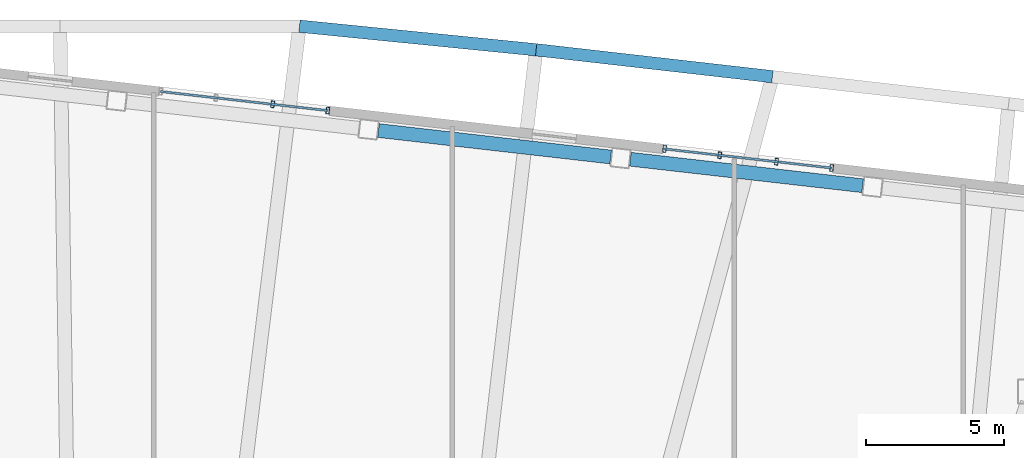
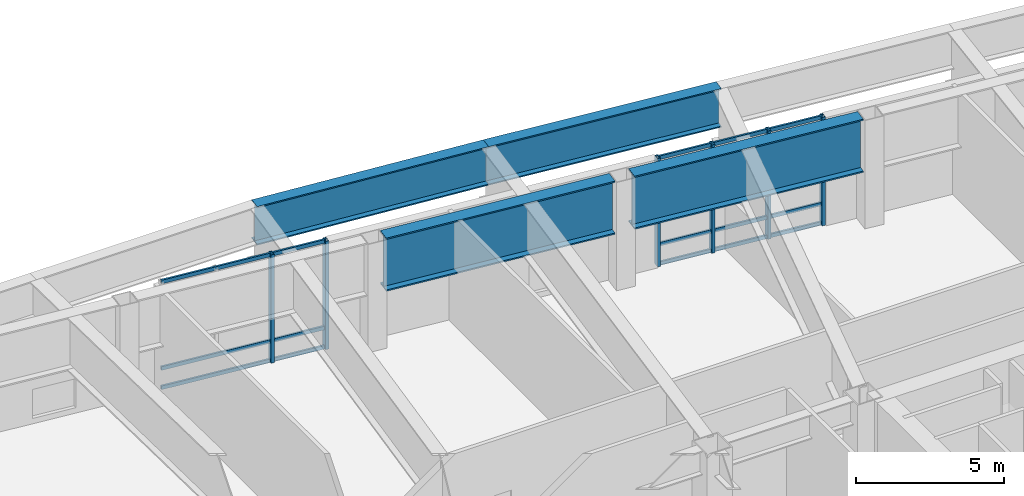
# One storey, part 8 of 19: 12 members, 4 beams, 2 elements without a shape of their own.
"""IFC4 building model written with IfcOpenShell, lengths in metres."""

from ifc_helpers import new_model, si_unit, direction, frame, origin, origin_2d, place, context, subcontext, project, spatial, hollow_rectangle, i_section, extrude, material, layer, layer_set, material_profile, profile_set, type_object, element, aggregate, save


model = new_model("IFC4")

# Units and contexts
model_context = context("Model", 3, precision=1e-05, world=origin(), true_north=direction((0.0, 1.0)))
body_context = subcontext(model_context, "Body", "Model", "MODEL_VIEW")
ifc_project = project(units=[si_unit("LENGTHUNIT", "METRE"), si_unit("AREAUNIT", "SQUARE_METRE"), si_unit("VOLUMEUNIT", "CUBIC_METRE"), si_unit("PLANEANGLEUNIT", "RADIAN"), si_unit("MASSUNIT", "GRAM", prefix="KILO")], contexts=[model_context])

# Site, building, storey
site_placement = place(None, origin())
site = spatial("IfcSite", under=ifc_project, at=site_placement, CompositionType="ELEMENT")
building_placement = place(site_placement, origin())
building = spatial("IfcBuilding", under=site, at=building_placement, Name="Tavrogorsk Clinical Tower", CompositionType="ELEMENT")
storey_placement = place(building_placement, frame((0.0, 0.0, 141.39990234375)))
storey = spatial("IfcBuildingStorey", under=building, at=storey_placement, Name="L32", CompositionType="ELEMENT", Elevation=141.39990234375)

# Curtain wall, members
ifc_material_1 = material(Name="Anodised aluminium and triple IGU glazing", Category="aluminium")
ifc_layer = layer(ifc_material_1, 0.179931640625)
ifc_layer_set = layer_set([ifc_layer], Name="Anodised aluminium and triple IGU glazing")
curtain_wall_type = type_object("IfcCurtainWallType", Name="CW5_SkyLobby", PredefinedType="NOTDEFINED", material=ifc_layer_set)
curtain_wall_1_placement = place(storey_placement, origin())
curtain_wall_1 = element("IfcCurtainWall", 1, at=curtain_wall_1_placement, inside=storey, type_object=curtain_wall_type, Name="L32 Curtain Wall CW-L32-N-CW5-1", PredefinedType="NOTDEFINED")
ifc_material_2 = material(Name="Anodised aluminium alloy AW-6060", Category="aluminium")
ifc_material_profile_1 = material_profile(ifc_material_2, hollow_rectangle(XDim=0.1201171875, YDim=0.239990234375, WallThickness=0.008056640625, at=origin_2d()), Name="RHS-240x120x8")
ifc_profile_set_1 = profile_set([ifc_material_profile_1], Name="Anodised aluminium alloy AW-6060")
member_type_1 = type_object("IfcMemberType", Name="CwMullion_240x120", PredefinedType="MULLION", material=ifc_profile_set_1)
member_1_placement = place(storey_placement, frame((-0.905517578125, 23.365966796875, 0.0), z_axis=(0.0, 0.0, 1.0), x_axis=(-0.993571847378, 0.113203286601, 0.0)))
member_1 = element("IfcMember", 2, at=member_1_placement, type_object=member_type_1, Name="CW-L32-N-CW5-1 Mullion 1", PredefinedType="MULLION", context=body_context, shape_type="SweptSolid", body=[
    extrude(hollow_rectangle(XDim=0.1201171875, YDim=0.239990234375, WallThickness=0.008056640625, at=origin_2d()), origin(), (0.0, 0.0, 1.0), 4.47998046875),
])
member_2_placement = place(storey_placement, frame((-2.90185546875, 23.593505859375, 0.0), z_axis=(0.0, 0.0, 1.0), x_axis=(-0.993571847378, 0.113203286601, 0.0)))
member_2 = element("IfcMember", 3, at=member_2_placement, type_object=member_type_1, Name="CW-L32-N-CW5-1 Mullion 2", PredefinedType="MULLION", context=body_context, shape_type="SweptSolid", body=[
    extrude(hollow_rectangle(XDim=0.1201171875, YDim=0.239990234375, WallThickness=0.008056640625, at=origin_2d()), origin(), (0.0, 0.0, 1.0), 4.47998046875),
])

curtain_wall_2_placement = place(storey_placement, origin())
curtain_wall_2 = element("IfcCurtainWall", 4, at=curtain_wall_2_placement, inside=storey, type_object=curtain_wall_type, Name="L32 Curtain Wall CW-L32-N-CW5-2", PredefinedType="NOTDEFINED")
member_3_placement = place(storey_placement, frame((17.330810546875, 21.2880859375, 0.0), z_axis=(0.0, 0.0, 1.0), x_axis=(-0.993571847378, 0.113203286601, 0.0)))
member_3 = element("IfcMember", 5, at=member_3_placement, type_object=member_type_1, Name="CW-L32-N-CW5-2 Mullion 1", PredefinedType="MULLION", context=body_context, shape_type="SweptSolid", body=[
    extrude(hollow_rectangle(XDim=0.1201171875, YDim=0.239990234375, WallThickness=0.008056640625, at=origin_2d()), origin(), (0.0, 0.0, 1.0), 4.47998046875),
])
member_4_placement = place(storey_placement, frame((15.33447265625, 21.515625, 0.0), z_axis=(0.0, 0.0, 1.0), x_axis=(-0.993571847378, 0.113203286601, 0.0)))
member_4 = element("IfcMember", 6, at=member_4_placement, type_object=member_type_1, Name="CW-L32-N-CW5-2 Mullion 2", PredefinedType="MULLION", context=body_context, shape_type="SweptSolid", body=[
    extrude(hollow_rectangle(XDim=0.1201171875, YDim=0.239990234375, WallThickness=0.008056640625, at=origin_2d()), origin(), (0.0, 0.0, 1.0), 4.47998046875),
])
member_5_placement = place(storey_placement, frame((13.2783203125, 21.75, 0.0), z_axis=(0.0, 0.0, 1.0), x_axis=(-0.993571847378, 0.113203286601, 0.0)))
member_5 = element("IfcMember", 7, at=member_5_placement, type_object=member_type_1, Name="CW-L32-N-CW5-2 Mullion 3", PredefinedType="MULLION", context=body_context, shape_type="SweptSolid", body=[
    extrude(hollow_rectangle(XDim=0.1201171875, YDim=0.239990234375, WallThickness=0.008056640625, at=origin_2d()), origin(), (0.0, 0.0, 1.0), 4.47998046875),
])
member_6_placement = place(storey_placement, frame((11.281982421875, 21.977294921875, 0.0), z_axis=(0.0, 0.0, 1.0), x_axis=(-0.993571847378, 0.113203286601, 0.0)))
member_6 = element("IfcMember", 8, at=member_6_placement, type_object=member_type_1, Name="CW-L32-N-CW5-2 Mullion 4", PredefinedType="MULLION", context=body_context, shape_type="SweptSolid", body=[
    extrude(hollow_rectangle(XDim=0.1201171875, YDim=0.239990234375, WallThickness=0.008056640625, at=origin_2d()), origin(), (0.0, 0.0, 1.0), 4.47998046875),
])

# Member
ifc_material_3 = material(Name="Anodised aluminium alloy AW-6060", Category="aluminium")
ifc_material_profile_2 = material_profile(ifc_material_3, hollow_rectangle(XDim=0.074951171875, YDim=0.14990234375, WallThickness=0.0048828125, at=origin_2d()), Name="RHS-150x75x5")
ifc_profile_set_2 = profile_set([ifc_material_profile_2], Name="Anodised aluminium alloy AW-6060")
member_type_2 = type_object("IfcMemberType", Name="CwTransom_150x75", PredefinedType="USERDEFINED", material=ifc_profile_set_2)
member_7_placement = place(storey_placement, frame((-0.905517578125, 23.365966796875, 0.050048828125), z_axis=(-0.993571263123, 0.113208414425, 0.0), x_axis=(-0.113208414425, -0.993571263123, 0.0)))
member_7 = element("IfcMember", 9, at=member_7_placement, type_object=member_type_2, Name="CW-L32-N-CW5-1 Transom 1", ObjectType="TRANSOM", PredefinedType="USERDEFINED", context=body_context, shape_type="SweptSolid", body=[
    extrude(hollow_rectangle(XDim=0.074951171875, YDim=0.14990234375, WallThickness=0.0048828125, at=origin_2d()), origin(), (0.0, 0.0, 1.0), 6.087890625),
])

member_8_placement = place(storey_placement, frame((-0.905517578125, 23.365966796875, 0.85009765625), z_axis=(-0.993571263123, 0.113208414425, 0.0), x_axis=(-0.113208414425, -0.993571263123, 0.0)))
member_8 = element("IfcMember", 10, at=member_8_placement, type_object=member_type_2, Name="CW-L32-N-CW5-1 Transom 2", ObjectType="TRANSOM", PredefinedType="USERDEFINED", context=body_context, shape_type="SweptSolid", body=[
    extrude(hollow_rectangle(XDim=0.074951171875, YDim=0.14990234375, WallThickness=0.0048828125, at=origin_2d()), origin(), (0.0, 0.0, 1.0), 6.087890625),
])

member_9_placement = place(storey_placement, frame((-0.905517578125, 23.365966796875, 4.43017578125), z_axis=(-0.993571263123, 0.113208414425, 0.0), x_axis=(-0.113208414425, -0.993571263123, 0.0)))
member_9 = element("IfcMember", 11, at=member_9_placement, type_object=member_type_2, Name="CW-L32-N-CW5-1 Transom 3", ObjectType="TRANSOM", PredefinedType="USERDEFINED", context=body_context, shape_type="SweptSolid", body=[
    extrude(hollow_rectangle(XDim=0.074951171875, YDim=0.14990234375, WallThickness=0.0048828125, at=origin_2d()), origin(), (0.0, 0.0, 1.0), 6.087890625),
])

aggregate(curtain_wall_1, [member_1, member_2, member_7, member_8, member_9])

member_10_placement = place(storey_placement, frame((17.330810546875, 21.2880859375, 0.050048828125), z_axis=(-0.993571263123, 0.113208414425, 0.0), x_axis=(-0.113208414425, -0.993571263123, 0.0)))
member_10 = element("IfcMember", 12, at=member_10_placement, type_object=member_type_2, Name="CW-L32-N-CW5-2 Transom 1", ObjectType="TRANSOM", PredefinedType="USERDEFINED", context=body_context, shape_type="SweptSolid", body=[
    extrude(hollow_rectangle(XDim=0.074951171875, YDim=0.14990234375, WallThickness=0.0048828125, at=origin_2d()), origin(), (0.0, 0.0, 1.0), 6.087890625),
])

member_11_placement = place(storey_placement, frame((17.330810546875, 21.2880859375, 0.85009765625), z_axis=(-0.993571263123, 0.113208414425, 0.0), x_axis=(-0.113208414425, -0.993571263123, 0.0)))
member_11 = element("IfcMember", 13, at=member_11_placement, type_object=member_type_2, Name="CW-L32-N-CW5-2 Transom 2", ObjectType="TRANSOM", PredefinedType="USERDEFINED", context=body_context, shape_type="SweptSolid", body=[
    extrude(hollow_rectangle(XDim=0.074951171875, YDim=0.14990234375, WallThickness=0.0048828125, at=origin_2d()), origin(), (0.0, 0.0, 1.0), 6.087890625),
])

member_12_placement = place(storey_placement, frame((17.330810546875, 21.2880859375, 4.43017578125), z_axis=(-0.993571263123, 0.113208414425, 0.0), x_axis=(-0.113208414425, -0.993571263123, 0.0)))
member_12 = element("IfcMember", 14, at=member_12_placement, type_object=member_type_2, Name="CW-L32-N-CW5-2 Transom 3", ObjectType="TRANSOM", PredefinedType="USERDEFINED", context=body_context, shape_type="SweptSolid", body=[
    extrude(hollow_rectangle(XDim=0.074951171875, YDim=0.14990234375, WallThickness=0.0048828125, at=origin_2d()), origin(), (0.0, 0.0, 1.0), 6.087890625),
])

aggregate(curtain_wall_2, [member_3, member_4, member_5, member_6, member_10, member_11, member_12])

# Beams
ifc_material_4 = material(Name="Structural steel S440", Category="steel")
ifc_material_profile_3 = material_profile(ifc_material_4, i_section(OverallWidth=0.449951171875, OverallDepth=1.60009765625, WebThickness=0.031982421875, FlangeThickness=0.050048828125, at=origin_2d()), Name="DK-1600x450x32x50")
ifc_profile_set_3 = profile_set([ifc_material_profile_3], Name="Structural steel S440")
beam_type_1 = type_object("IfcBeamType", Name="TransferGirder_DK1600", PredefinedType="USERDEFINED", material=ifc_profile_set_3)
beam_1_placement = place(storey_placement, frame((15.18603515625, 24.59228515625, 3.68017578125), z_axis=(-0.993571653047, 0.113204992215, 0.0), x_axis=(-0.113204992215, -0.993571653047, 0.0)))
element("IfcBeam", 15, at=beam_1_placement, inside=storey, type_object=beam_type_1, Name="L33 Transfer Edge Girder N3-N4", ObjectType="GIRDER", PredefinedType="USERDEFINED", context=body_context, shape_type="SweptSolid", body=[
    extrude(i_section(OverallWidth=0.449951171875, OverallDepth=1.60009765625, WebThickness=0.031982421875, FlangeThickness=0.050048828125, at=origin_2d()), origin(), (0.0, 0.0, 1.0), 8.607177734375),
])
beam_2_placement = place(storey_placement, frame((6.63427734375, 25.566650390625, 3.68017578125), z_axis=(-0.995075027381, 0.099124617948, 0.0), x_axis=(-0.099124617948, -0.995075027381, 0.0)))
element("IfcBeam", 16, at=beam_2_placement, inside=storey, type_object=beam_type_1, Name="L33 Transfer Edge Girder N4-N5", ObjectType="GIRDER", PredefinedType="USERDEFINED", context=body_context, shape_type="SweptSolid", body=[
    extrude(i_section(OverallWidth=0.449951171875, OverallDepth=1.60009765625, WebThickness=0.031982421875, FlangeThickness=0.050048828125, at=origin_2d()), origin(), (0.0, 0.0, 1.0), 8.608154296875),
])
ifc_material_5 = material(Name="Structural steel S440", Category="steel")
ifc_material_profile_4 = material_profile(ifc_material_5, i_section(OverallWidth=0.5, OverallDepth=2.199951171875, WebThickness=0.035888671875, FlangeThickness=0.054931640625, at=origin_2d()), Name="DK-2200x500x36x55")
ifc_profile_set_4 = profile_set([ifc_material_profile_4], Name="Structural steel S440")
beam_type_2 = type_object("IfcBeamType", Name="TransferGirder_DK2200", PredefinedType="USERDEFINED", material=ifc_profile_set_4)
beam_3_placement = place(storey_placement, frame((18.451904296875, 20.647216796875, 3.380126953125), z_axis=(-0.99357232562, 0.113199089054, 0.0), x_axis=(-0.113199089054, -0.99357232562, 0.0)))
element("IfcBeam", 17, at=beam_3_placement, inside=storey, type_object=beam_type_2, Name="L32 Perimeter Spandrel N3-N4", ObjectType="GIRDER", PredefinedType="USERDEFINED", context=body_context, shape_type="SweptSolid", body=[
    extrude(i_section(OverallWidth=0.5, OverallDepth=2.199951171875, WebThickness=0.035888671875, FlangeThickness=0.054931640625, at=origin_2d()), origin(), (0.0, 0.0, 1.0), 8.4609375),
])
beam_4_placement = place(storey_placement, frame((9.333984375, 21.68603515625, 3.380126953125), z_axis=(-0.99357306506, 0.113192598642, 0.0), x_axis=(-0.113192598642, -0.99357306506, 0.0)))
element("IfcBeam", 18, at=beam_4_placement, inside=storey, type_object=beam_type_2, Name="L32 Perimeter Spandrel N4-N5", ObjectType="GIRDER", PredefinedType="USERDEFINED", context=body_context, shape_type="SweptSolid", body=[
    extrude(i_section(OverallWidth=0.5, OverallDepth=2.199951171875, WebThickness=0.035888671875, FlangeThickness=0.054931640625, at=origin_2d()), origin(), (0.0, 0.0, 1.0), 8.46142578125),
])

save(model, "model.ifc")
